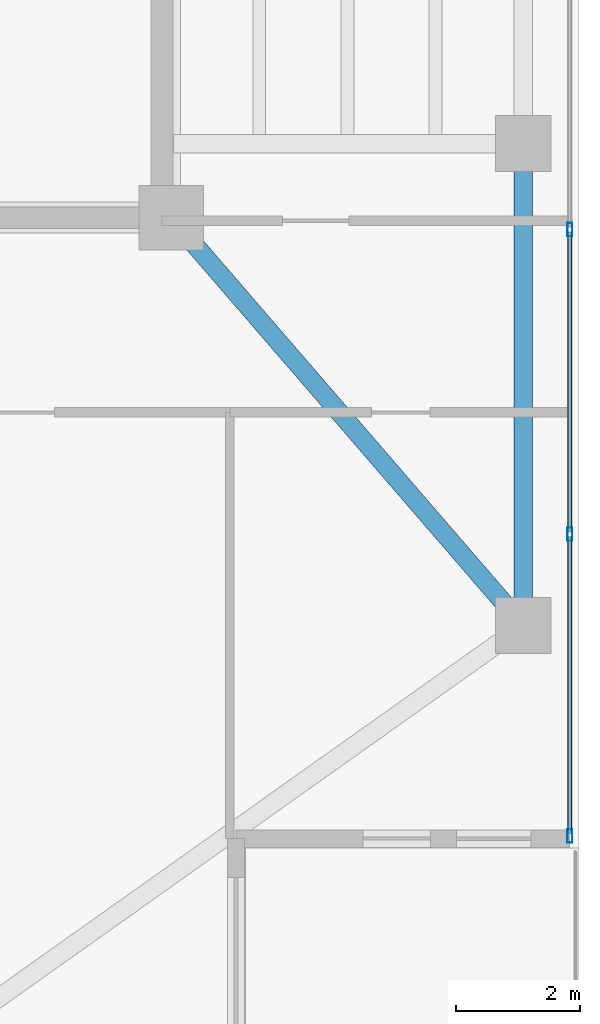
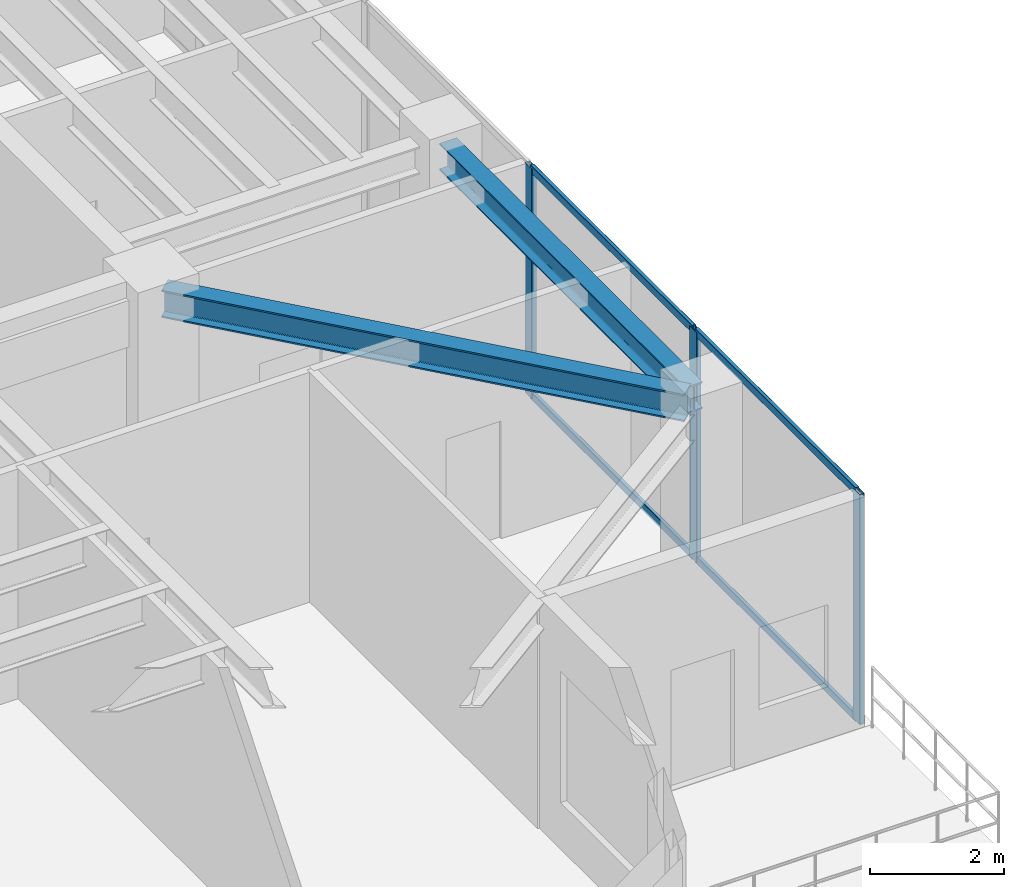
# One storey, part 13 of 33: 7 members, 2 beams, 1 element without a shape of its own.
"""IFC4 building model written with IfcOpenShell, lengths in metres."""

from ifc_helpers import new_model, si_unit, direction, frame, origin, origin_2d, place, context, subcontext, project, spatial, hollow_rectangle, i_section, extrude, material, layer, layer_set, material_profile, profile_set, type_object, element, aggregate, save


model = new_model("IFC4")

# Units and contexts
model_context = context("Model", 3, precision=1e-05, world=origin(), true_north=direction((0.0, 1.0)))
body_context = subcontext(model_context, "Body", "Model", "MODEL_VIEW")
ifc_project = project(units=[si_unit("LENGTHUNIT", "METRE"), si_unit("AREAUNIT", "SQUARE_METRE"), si_unit("VOLUMEUNIT", "CUBIC_METRE"), si_unit("PLANEANGLEUNIT", "RADIAN"), si_unit("MASSUNIT", "GRAM", prefix="KILO")], contexts=[model_context])

# Site, building, storey
site_placement = place(None, origin())
site = spatial("IfcSite", under=ifc_project, at=site_placement, CompositionType="ELEMENT")
building_placement = place(site_placement, origin())
building = spatial("IfcBuilding", under=site, at=building_placement, Name="Tarnavaz Court Tower", CompositionType="ELEMENT")
storey_placement = place(building_placement, frame((0.0, 0.0, 172.800048828125)))
storey = spatial("IfcBuildingStorey", under=building, at=storey_placement, Name="L47", CompositionType="ELEMENT", Elevation=172.800048828125)

# Beams
ifc_material_1 = material(Name="Steel S355", Category="steel")
ifc_material_profile_1 = material_profile(ifc_material_1, i_section(OverallWidth=0.300048828125, OverallDepth=0.5, WebThickness=0.014404296875, FlangeThickness=0.028076171875, FilletRadius=0.027099609375, at=origin_2d()), Name="HEB 500")
ifc_profile_set_1 = profile_set([ifc_material_profile_1], Name="Steel S355")
beam_type_1 = type_object("IfcBeamType", Name="BM-G-HEB500", PredefinedType="USERDEFINED", material=ifc_profile_set_1)
beam_1_placement = place(storey_placement, frame((18.743896484375, -7.366455078125, 3.949951171875), z_axis=(0.653610659012, -0.756830962914, 0.0), x_axis=(0.756830962914, 0.653610659012, 0.0)))
element("IfcBeam", 1, at=beam_1_placement, inside=storey, type_object=beam_type_1, Name="L47 Beam RG-11", ObjectType="GIRDER", PredefinedType="USERDEFINED", context=body_context, shape_type="SweptSolid", body=[
    extrude(i_section(OverallWidth=0.300048828125, OverallDepth=0.5, WebThickness=0.014404296875, FlangeThickness=0.028076171875, FilletRadius=0.027099609375, at=origin_2d()), origin(), (0.0, 0.0, 1.0), 8.28076171875),
])
ifc_material_profile_2 = material_profile(ifc_material_1, i_section(OverallWidth=0.300048828125, OverallDepth=0.489990234375, WebThickness=0.011962890625, FlangeThickness=0.02294921875, FilletRadius=0.027099609375, at=origin_2d()), Name="HEA 500")
ifc_profile_set_2 = profile_set([ifc_material_profile_2], Name="Steel S355")
beam_type_2 = type_object("IfcBeamType", Name="BM-SP-HEA500", PredefinedType="SPANDREL", material=ifc_profile_set_2)
beam_2_placement = place(storey_placement, frame((24.300048828125, -13.580078125, 3.954833984375), z_axis=(0.0, 1.0, 0.0), x_axis=(-1.0, 0.0, 0.0)))
element("IfcBeam", 2, at=beam_2_placement, inside=storey, type_object=beam_type_2, Name="L47 Beam PR-PE-1-PE-2", PredefinedType="SPANDREL", context=body_context, shape_type="SweptSolid", body=[
    extrude(i_section(OverallWidth=0.300048828125, OverallDepth=0.489990234375, WebThickness=0.011962890625, FlangeThickness=0.02294921875, FilletRadius=0.027099609375, at=origin_2d()), origin(), (0.0, 0.0, 1.0), 7.360107421875),
])

# Curtain wall, members
ifc_material_2 = material(Name="Anodised Aluminium 6063-T6 and Solar Low-E Glazing", Category="aluminium")
ifc_layer = layer(ifc_material_2, 0.199951171875)
ifc_layer_set = layer_set([ifc_layer], Name="Anodised Aluminium 6063-T6 and Solar Low-E Glazing")
curtain_wall_type = type_object("IfcCurtainWallType", Name="CW-SYS-05", PredefinedType="NOTDEFINED", material=ifc_layer_set)
curtain_wall_placement = place(storey_placement, origin())
curtain_wall = element("IfcCurtainWall", 3, at=curtain_wall_placement, inside=storey, type_object=curtain_wall_type, Name="L47 Sky-Portal Curtain Wall 12", PredefinedType="NOTDEFINED")
ifc_material_3 = material(Name="Anodised Aluminium 6063-T6", Category="aluminium")
ifc_material_profile_3 = material_profile(ifc_material_3, hollow_rectangle(XDim=0.0849609375, YDim=0.219970703125, WallThickness=0.006103515625, InnerFilletRadius=0.006103515625, OuterFilletRadius=0.011962890625, at=origin_2d()), Name="ALU RHS 220X85X6")
ifc_profile_set_3 = profile_set([ifc_material_profile_3], Name="Anodised Aluminium 6063-T6")
member_type_1 = type_object("IfcMemberType", Name="CW-MUL-220", PredefinedType="MULLION", material=ifc_profile_set_3)
member_1_placement = place(storey_placement, frame((25.050048828125, -7.392822265625, 0.0), z_axis=(0.0, 0.0, 1.0), x_axis=(1.0, 0.0, 0.0)))
member_1 = element("IfcMember", 4, at=member_1_placement, type_object=member_type_1, Name="CW mullion 6", PredefinedType="MULLION", context=body_context, shape_type="SweptSolid", body=[
    extrude(hollow_rectangle(XDim=0.0849609375, YDim=0.219970703125, WallThickness=0.006103515625, InnerFilletRadius=0.006103515625, OuterFilletRadius=0.011962890625, at=origin_2d()), origin(), (0.0, 0.0, 1.0), 4.199951171875),
])
member_2_placement = place(storey_placement, frame((25.050048828125, -12.321533203125, 0.0), z_axis=(0.0, 0.0, 1.0), x_axis=(1.0, 0.0, 0.0)))
member_2 = element("IfcMember", 5, at=member_2_placement, type_object=member_type_1, Name="CW mullion 7", PredefinedType="MULLION", context=body_context, shape_type="SweptSolid", body=[
    extrude(hollow_rectangle(XDim=0.0849609375, YDim=0.219970703125, WallThickness=0.006103515625, InnerFilletRadius=0.006103515625, OuterFilletRadius=0.011962890625, at=origin_2d()), origin(), (0.0, 0.0, 1.0), 4.199951171875),
])
member_3_placement = place(storey_placement, frame((25.050048828125, -17.20751953125, 0.0), z_axis=(0.0, 0.0, 1.0), x_axis=(1.0, 0.0, 0.0)))
member_3 = element("IfcMember", 6, at=member_3_placement, type_object=member_type_1, Name="CW mullion 8", PredefinedType="MULLION", context=body_context, shape_type="SweptSolid", body=[
    extrude(hollow_rectangle(XDim=0.0849609375, YDim=0.219970703125, WallThickness=0.006103515625, InnerFilletRadius=0.006103515625, OuterFilletRadius=0.011962890625, at=origin_2d()), origin(), (0.0, 0.0, 1.0), 4.199951171875),
])
ifc_material_profile_4 = material_profile(ifc_material_3, hollow_rectangle(XDim=0.06494140625, YDim=0.139892578125, WallThickness=0.00390625, InnerFilletRadius=0.00390625, OuterFilletRadius=0.008056640625, at=origin_2d()), Name="ALU RHS 140X65X4")
ifc_profile_set_4 = profile_set([ifc_material_profile_4], Name="Anodised Aluminium 6063-T6")
member_type_2 = type_object("IfcMemberType", Name="CW-TRN-140", PredefinedType="USERDEFINED", material=ifc_profile_set_4)
member_4_placement = place(storey_placement, frame((25.050048828125, -7.435302734375, 0.032470703125), z_axis=(0.0, -1.0, 0.0), x_axis=(1.0, 0.0, 0.0)))
member_4 = element("IfcMember", 7, at=member_4_placement, type_object=member_type_2, Name="CW transom 6.1", ObjectType="TRANSOM", PredefinedType="USERDEFINED", context=body_context, shape_type="SweptSolid", body=[
    extrude(hollow_rectangle(XDim=0.06494140625, YDim=0.139892578125, WallThickness=0.00390625, InnerFilletRadius=0.00390625, OuterFilletRadius=0.008056640625, at=origin_2d()), origin(), (0.0, 0.0, 1.0), 4.843505859375),
])
member_5_placement = place(storey_placement, frame((25.050048828125, -7.435302734375, 4.16748046875), z_axis=(0.0, -1.0, 0.0), x_axis=(1.0, 0.0, 0.0)))
member_5 = element("IfcMember", 8, at=member_5_placement, type_object=member_type_2, Name="CW transom 6.2", ObjectType="TRANSOM", PredefinedType="USERDEFINED", context=body_context, shape_type="SweptSolid", body=[
    extrude(hollow_rectangle(XDim=0.06494140625, YDim=0.139892578125, WallThickness=0.00390625, InnerFilletRadius=0.00390625, OuterFilletRadius=0.008056640625, at=origin_2d()), origin(), (0.0, 0.0, 1.0), 4.843505859375),
])
member_6_placement = place(storey_placement, frame((25.050048828125, -12.364013671875, 0.032470703125), z_axis=(0.0, -1.0, 0.0), x_axis=(1.0, 0.0, 0.0)))
member_6 = element("IfcMember", 9, at=member_6_placement, type_object=member_type_2, Name="CW transom 7.1", ObjectType="TRANSOM", PredefinedType="USERDEFINED", context=body_context, shape_type="SweptSolid", body=[
    extrude(hollow_rectangle(XDim=0.06494140625, YDim=0.139892578125, WallThickness=0.00390625, InnerFilletRadius=0.00390625, OuterFilletRadius=0.008056640625, at=origin_2d()), origin(), (0.0, 0.0, 1.0), 4.801025390625),
])
member_7_placement = place(storey_placement, frame((25.050048828125, -12.364013671875, 4.16748046875), z_axis=(0.0, -1.0, 0.0), x_axis=(1.0, 0.0, 0.0)))
member_7 = element("IfcMember", 10, at=member_7_placement, type_object=member_type_2, Name="CW transom 7.2", ObjectType="TRANSOM", PredefinedType="USERDEFINED", context=body_context, shape_type="SweptSolid", body=[
    extrude(hollow_rectangle(XDim=0.06494140625, YDim=0.139892578125, WallThickness=0.00390625, InnerFilletRadius=0.00390625, OuterFilletRadius=0.008056640625, at=origin_2d()), origin(), (0.0, 0.0, 1.0), 4.801025390625),
])
aggregate(curtain_wall, [member_1, member_2, member_3, member_4, member_5, member_6, member_7])

save(model, "model.ifc")
